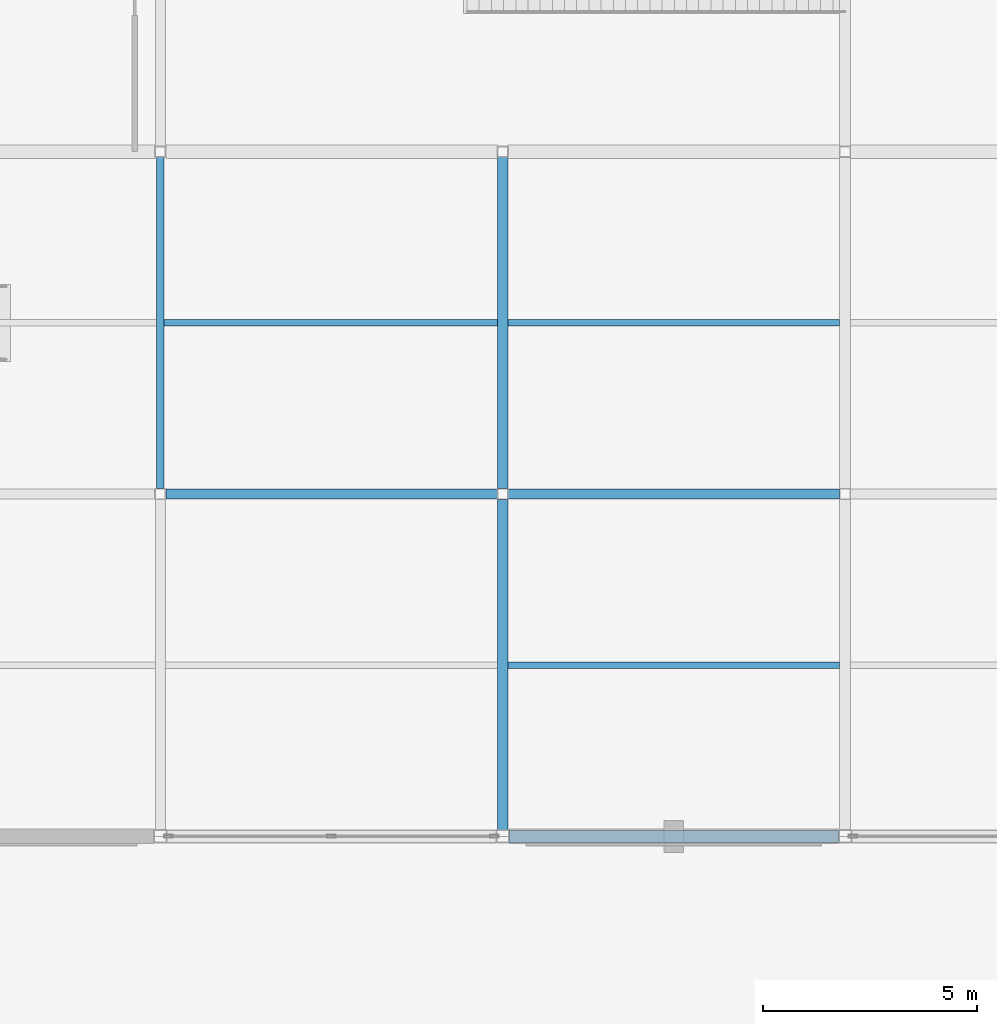
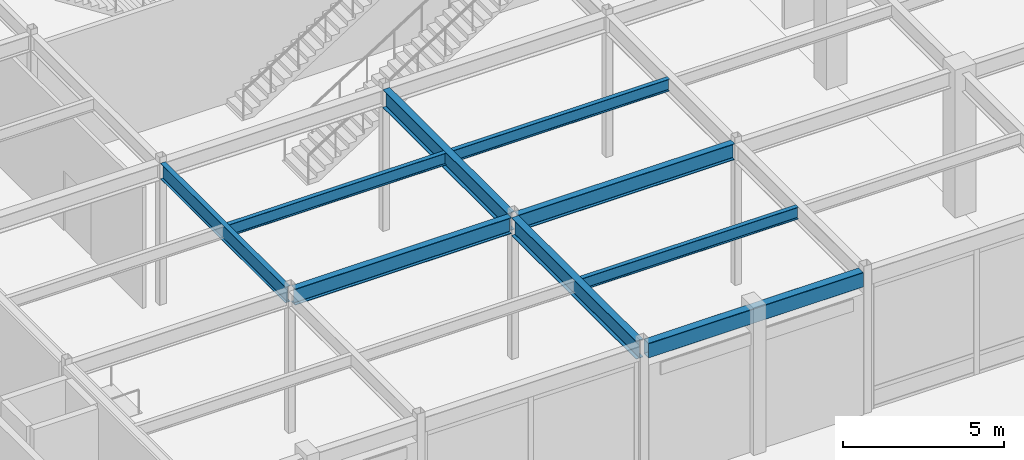
# One storey, part 34 of 128: 9 beams.
"""IFC4 building model written with IfcOpenShell, lengths in metres."""

from ifc_helpers import new_model, si_unit, direction, frame, origin, origin_2d, place, context, subcontext, project, spatial, hollow_rectangle, i_section, extrude, material, material_profile, profile_set, type_object, element, save


model = new_model("IFC4")

# Units and contexts
model_context = context("Model", 3, precision=1e-05, world=origin(), true_north=direction((0.0, 1.0)))
body_context = subcontext(model_context, "Body", "Model", "MODEL_VIEW")
ifc_project = project(units=[si_unit("LENGTHUNIT", "METRE"), si_unit("AREAUNIT", "SQUARE_METRE"), si_unit("VOLUMEUNIT", "CUBIC_METRE"), si_unit("PLANEANGLEUNIT", "RADIAN"), si_unit("MASSUNIT", "GRAM", prefix="KILO")], contexts=[model_context])

# Site, building, storey
site_placement = place(None, origin())
site = spatial("IfcSite", under=ifc_project, at=site_placement, CompositionType="ELEMENT")
building_placement = place(site_placement, origin())
building = spatial("IfcBuilding", under=site, at=building_placement, Name="Solmirada Galleria", CompositionType="ELEMENT")
storey_placement = place(building_placement, origin())
storey = spatial("IfcBuildingStorey", under=building, at=storey_placement, Name="L00", CompositionType="ELEMENT", Elevation=0.0)

# Beams
ifc_material_1 = material(Name="Steel S355 / ASTM A992 Grade 50", Category="steel")
ifc_material_profile_1 = material_profile(ifc_material_1, i_section(OverallWidth=0.22900390625, OverallDepth=0.612060546875, WebThickness=0.011962890625, FlangeThickness=0.01953125, FilletRadius=0.014892578125, at=origin_2d()), Name="W24X84")
ifc_profile_set_1 = profile_set([ifc_material_profile_1], Name="Steel S355 / ASTM A992 Grade 50")
beam_type_1 = type_object("IfcBeamType", Name="BM-GIRD-W24B", PredefinedType="BEAM", material=ifc_profile_set_1)
for number, where, z_axis, x_axis, name in (
    (1, (56.126953125, 8.0, 5.073974609375), (1.0, 0.0, 0.0), (0.0, 1.0, 0.0), "Primary beam L01 X(56..64, 8)"),
    (2, (64.126953125, 8.0, 5.073974609375), (1.0, 0.0, 0.0), (0.0, 1.0, 0.0), "Primary beam L01 X(64..72, 8)"),
):
    element("IfcBeam", number, at=place(storey_placement, frame(where, z_axis=z_axis, x_axis=x_axis)), inside=storey, type_object=beam_type_1, Name=name, PredefinedType="BEAM", context=body_context, shape_type="SweptSolid", body=[
        extrude(i_section(OverallWidth=0.22900390625, OverallDepth=0.612060546875, WebThickness=0.011962890625, FlangeThickness=0.01953125, FilletRadius=0.014892578125, at=origin_2d()), origin(), (0.0, 0.0, 1.0), 7.74609375),
    ])
ifc_material_profile_2 = material_profile(ifc_material_1, i_section(OverallWidth=0.177978515625, OverallDepth=0.59912109375, WebThickness=0.010009765625, FlangeThickness=0.0126953125, FilletRadius=0.013916015625, at=origin_2d()), Name="W24X55")
ifc_profile_set_2 = profile_set([ifc_material_profile_2], Name="Steel S355 / ASTM A992 Grade 50")
beam_type_2 = type_object("IfcBeamType", Name="BM-GIRD-W24D", PredefinedType="BEAM", material=ifc_profile_set_2)
beam_1_placement = place(storey_placement, frame((56.0, 8.126953125, 5.08056640625), z_axis=(0.0, 1.0, 0.0), x_axis=(-1.0, 0.0, 0.0)))
element("IfcBeam", 3, at=beam_1_placement, inside=storey, type_object=beam_type_2, Name="Primary girder L01 Y(56, 8..16)", PredefinedType="BEAM", context=body_context, shape_type="SweptSolid", body=[
    extrude(i_section(OverallWidth=0.177978515625, OverallDepth=0.59912109375, WebThickness=0.010009765625, FlangeThickness=0.0126953125, FilletRadius=0.013916015625, at=origin_2d()), origin(), (0.0, 0.0, 1.0), 7.74609375),
])
ifc_material_profile_3 = material_profile(ifc_material_1, i_section(OverallWidth=0.25390625, OverallDepth=0.68408203125, WebThickness=0.012451171875, FlangeThickness=0.018798828125, FilletRadius=0.01708984375, at=origin_2d()), Name="W27X94")
ifc_profile_set_3 = profile_set([ifc_material_profile_3], Name="Steel S355 / ASTM A992 Grade 50")
beam_type_3 = type_object("IfcBeamType", Name="BM-GIRD-W27B", PredefinedType="BEAM", material=ifc_profile_set_3)
beam_2_placement = place(storey_placement, frame((64.0, 0.152587890625, 5.0380859375), z_axis=(0.0, 1.0, 0.0), x_axis=(-1.0, 0.0, 0.0)))
element("IfcBeam", 4, at=beam_2_placement, inside=storey, type_object=beam_type_3, Name="Primary girder L01 Y(64, 0..8)", PredefinedType="BEAM", context=body_context, shape_type="SweptSolid", body=[
    extrude(i_section(OverallWidth=0.25390625, OverallDepth=0.68408203125, WebThickness=0.012451171875, FlangeThickness=0.018798828125, FilletRadius=0.01708984375, at=origin_2d()), origin(), (0.0, 0.0, 1.0), 7.720458984375),
])
beam_3_placement = place(storey_placement, frame((64.0, 8.126953125, 5.0380859375), z_axis=(0.0, 1.0, 0.0), x_axis=(-1.0, 0.0, 0.0)))
element("IfcBeam", 5, at=beam_3_placement, inside=storey, type_object=beam_type_3, Name="Primary girder L01 Y(64, 8..16)", PredefinedType="BEAM", context=body_context, shape_type="SweptSolid", body=[
    extrude(i_section(OverallWidth=0.25390625, OverallDepth=0.68408203125, WebThickness=0.012451171875, FlangeThickness=0.018798828125, FilletRadius=0.01708984375, at=origin_2d()), origin(), (0.0, 0.0, 1.0), 7.74609375),
])
ifc_material_profile_4 = material_profile(ifc_material_1, i_section(OverallWidth=0.153076171875, OverallDepth=0.455078125, WebThickness=0.008056640625, FlangeThickness=0.01318359375, FilletRadius=0.011962890625, at=origin_2d()), Name="W18X40")
ifc_profile_set_4 = profile_set([ifc_material_profile_4], Name="Steel S355 / ASTM A992 Grade 50")
beam_type_4 = type_object("IfcBeamType", Name="BM-JST-W18A", PredefinedType="JOIST", material=ifc_profile_set_4)
beam_4_placement = place(storey_placement, frame((56.089111328125, 12.0, 5.152587890625), z_axis=(1.0, 0.0, 0.0), x_axis=(0.0, 1.0, 0.0)))
element("IfcBeam", 6, at=beam_4_placement, inside=storey, type_object=beam_type_4, Name="Composite floor joist L01 (56..64, 12.0)", PredefinedType="JOIST", context=body_context, shape_type="SweptSolid", body=[
    extrude(i_section(OverallWidth=0.153076171875, OverallDepth=0.455078125, WebThickness=0.008056640625, FlangeThickness=0.01318359375, FilletRadius=0.011962890625, at=origin_2d()), origin(), (0.0, 0.0, 1.0), 7.783935546875),
])
for number, where, z_axis, x_axis, name in (
    (7, (64.126953125, 4.0, 5.152587890625), (1.0, 0.0, 0.0), (0.0, 1.0, 0.0), "Composite floor joist L01 (64..72, 4.0)"),
    (8, (64.126953125, 12.0, 5.152587890625), (1.0, 0.0, 0.0), (0.0, 1.0, 0.0), "Composite floor joist L01 (64..72, 12.0)"),
):
    element("IfcBeam", number, at=place(storey_placement, frame(where, z_axis=z_axis, x_axis=x_axis)), inside=storey, type_object=beam_type_4, Name=name, PredefinedType="JOIST", context=body_context, shape_type="SweptSolid", body=[
        extrude(i_section(OverallWidth=0.153076171875, OverallDepth=0.455078125, WebThickness=0.008056640625, FlangeThickness=0.01318359375, FilletRadius=0.011962890625, at=origin_2d()), origin(), (0.0, 0.0, 1.0), 7.7451171875),
    ])
ifc_material_2 = material(Name="Steel S355 / ASTM A500 Grade C", Category="steel")
ifc_material_profile_5 = material_profile(ifc_material_2, hollow_rectangle(XDim=0.304931640625, YDim=0.55908203125, WallThickness=0.01171875, InnerFilletRadius=0.01171875, OuterFilletRadius=0.023681640625, at=origin_2d()), Name="HSS22X12X1/2")
ifc_profile_set_5 = profile_set([ifc_material_profile_5], Name="Steel S355 / ASTM A500 Grade C")
beam_type_5 = type_object("IfcBeamType", Name="BM-SPAND-W21", PredefinedType="SPANDREL", material=ifc_profile_set_5)
beam_5_placement = place(storey_placement, frame((64.152587890625, 0.0, 5.1005859375), z_axis=(1.0, 0.0, 0.0), x_axis=(0.0, 1.0, 0.0)))
element("IfcBeam", 9, at=beam_5_placement, inside=storey, type_object=beam_type_5, Name="Primary beam L01 X(64..72, 0)", PredefinedType="SPANDREL", context=body_context, shape_type="SweptSolid", body=[
    extrude(hollow_rectangle(XDim=0.304931640625, YDim=0.55908203125, WallThickness=0.01171875, InnerFilletRadius=0.01171875, OuterFilletRadius=0.023681640625, at=origin_2d()), origin(), (0.0, 0.0, 1.0), 7.69482421875),
])

save(model, "model.ifc")
